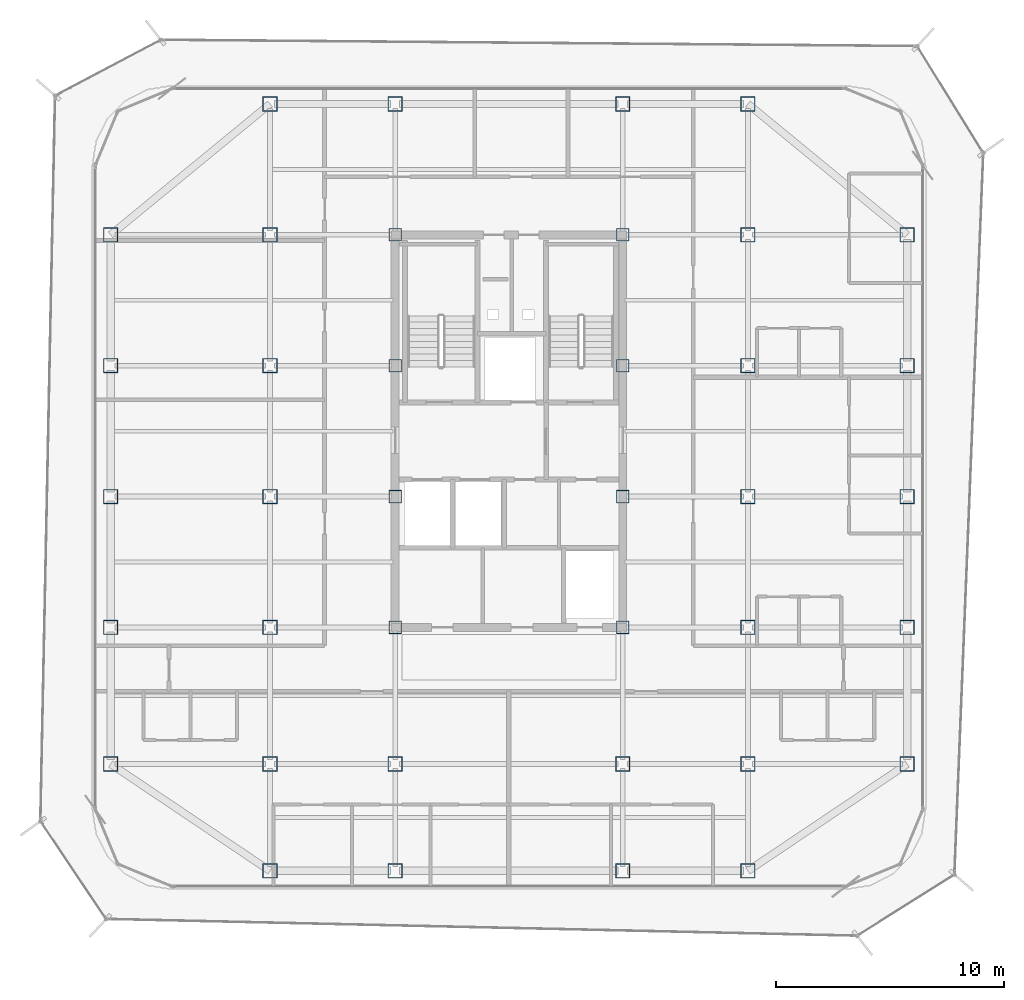
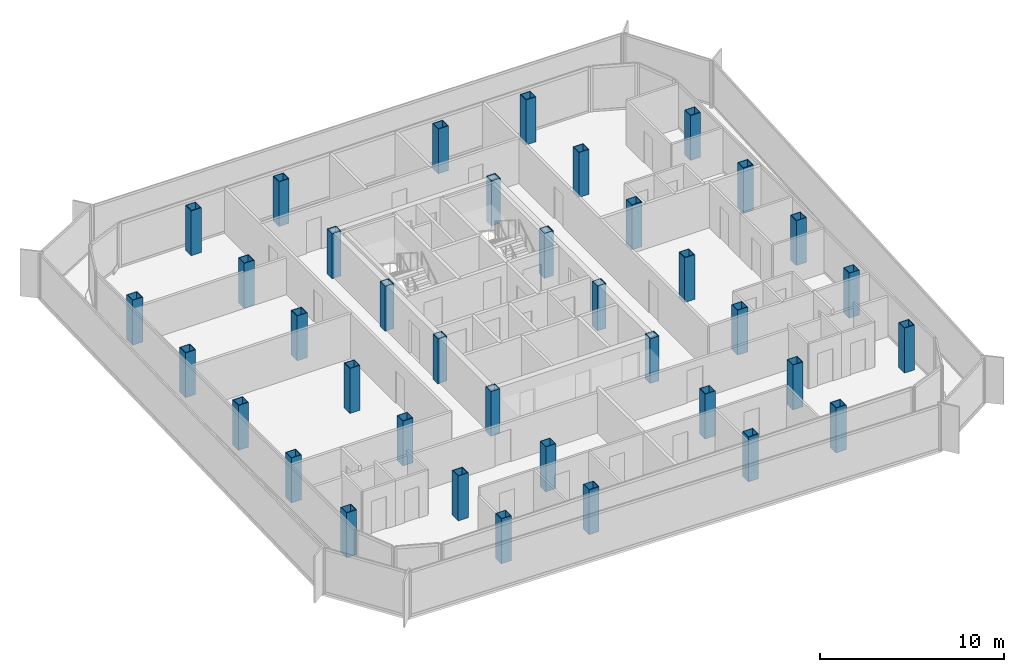
# One storey, part 1 of 15: 38 columns.
"""IFC4 building model written with IfcOpenShell, lengths in metres."""

from ifc_helpers import new_model, si_unit, direction, frame, origin, origin_2d, place, context, subcontext, project, spatial, hollow_rectangle, extrude, source, transform, mapped, material, material_profile, profile_set, type_object, element, save


model = new_model("IFC4")

# Units and contexts
model_context = context("Model", 3, precision=1e-05, world=origin(), true_north=direction((0.0, 1.0)))
body_context = subcontext(model_context, "Body", "Model", "MODEL_VIEW")
ifc_project = project(units=[si_unit("LENGTHUNIT", "METRE"), si_unit("AREAUNIT", "SQUARE_METRE"), si_unit("VOLUMEUNIT", "CUBIC_METRE"), si_unit("PLANEANGLEUNIT", "RADIAN"), si_unit("MASSUNIT", "GRAM", prefix="KILO")], contexts=[model_context])

# Site, building, storey
site_placement = place(None, origin())
site = spatial("IfcSite", under=ifc_project, at=site_placement, CompositionType="ELEMENT")
building_placement = place(site_placement, origin())
building = spatial("IfcBuilding", under=site, at=building_placement, Name="Kolveth Station Tower", CompositionType="ELEMENT")
storey_placement = place(building_placement, frame((0.0, 0.0, 239.300048828125)))
storey = spatial("IfcBuildingStorey", under=building, at=storey_placement, Name="L68", CompositionType="ELEMENT", Elevation=239.300048828125)

# Columns
ifc_material = material(Name="Steel S355", Category="steel")
ifc_material_profile_1 = material_profile(ifc_material, hollow_rectangle(XDim=0.639892578125, YDim=0.639892578125, WallThickness=0.034912109375, at=origin_2d()), Name="BOX640x640x35")
ifc_profile_set_1 = profile_set([ifc_material_profile_1], Name="Steel S355")
column_type_1 = type_object("IfcColumnType", Name="Col_C7", PredefinedType="COLUMN", material=ifc_profile_set_1)
shared_shape_1 = source(origin(), body_context, "Body", "SweptSolid", [
    extrude(hollow_rectangle(XDim=0.639892578125, YDim=0.639892578125, WallThickness=0.034912109375, at=origin_2d()), origin(), (0.0, 0.0, 1.0), 2.97998046875),
])
for number, where, z_axis, x_axis, name in (
    (1, (13.0, 0.800048828125, 0.0), (0.0, 0.0, 1.0), (1.0, 0.0, 0.0), "L68 Tower Column S-X130"),
    (2, (13.0, 34.5, 0.0), (0.0, 0.0, 1.0), (1.0, 0.0, 0.0), "L68 Tower Column N-X130"),
    (3, (18.5, 0.800048828125, 0.0), (0.0, 0.0, 1.0), (1.0, 0.0, 0.0), "L68 Tower Column S-X185"),
    (4, (18.5, 34.5, 0.0), (0.0, 0.0, 1.0), (1.0, 0.0, 0.0), "L68 Tower Column N-X185"),
    (5, (28.5, 0.800048828125, 0.0), (0.0, 0.0, 1.0), (1.0, 0.0, 0.0), "L68 Tower Column S-X285"),
    (6, (28.5, 34.5, 0.0), (0.0, 0.0, 1.0), (1.0, 0.0, 0.0), "L68 Tower Column N-X285"),
    (7, (34.0, 0.800048828125, 0.0), (0.0, 0.0, 1.0), (1.0, 0.0, 0.0), "L68 Tower Column S-X340"),
    (8, (34.0, 34.5, 0.0), (0.0, 0.0, 1.0), (1.0, 0.0, 0.0), "L68 Tower Column N-X340"),
    (9, (6.0, 5.5, 0.0), (0.0, 0.0, 1.0), (1.0, 0.0, 0.0), "L68 Tower Column W-Y55"),
    (10, (41.0, 5.5, 0.0), (0.0, 0.0, 1.0), (1.0, 0.0, 0.0), "L68 Tower Column E-Y55"),
    (11, (6.0, 11.5, 0.0), (0.0, 0.0, 1.0), (1.0, 0.0, 0.0), "L68 Tower Column W-Y115"),
    (12, (41.0, 11.5, 0.0), (0.0, 0.0, 1.0), (1.0, 0.0, 0.0), "L68 Tower Column E-Y115"),
    (13, (6.0, 17.25, 0.0), (0.0, 0.0, 1.0), (1.0, 0.0, 0.0), "L68 Tower Column W-Y172"),
    (14, (41.0, 17.25, 0.0), (0.0, 0.0, 1.0), (1.0, 0.0, 0.0), "L68 Tower Column E-Y172"),
    (15, (6.0, 23.0, 0.0), (0.0, 0.0, 1.0), (1.0, 0.0, 0.0), "L68 Tower Column W-Y230"),
    (16, (41.0, 23.0, 0.0), (0.0, 0.0, 1.0), (1.0, 0.0, 0.0), "L68 Tower Column E-Y230"),
    (17, (6.0, 28.75, 0.0), (0.0, 0.0, 1.0), (1.0, 0.0, 0.0), "L68 Tower Column W-Y287"),
    (18, (41.0, 28.75, 0.0), (0.0, 0.0, 1.0), (1.0, 0.0, 0.0), "L68 Tower Column E-Y287"),
    (19, (13.0, 5.5, 0.0), (0.0, 0.0, 1.0), (1.0, 0.0, 0.0), "L68 Tower Column G-130-55"),
    (20, (13.0, 11.5, 0.0), (0.0, 0.0, 1.0), (1.0, 0.0, 0.0), "L68 Tower Column G-130-115"),
    (21, (13.0, 17.25, 0.0), (0.0, 0.0, 1.0), (1.0, 0.0, 0.0), "L68 Tower Column G-130-172"),
    (22, (13.0, 23.0, 0.0), (0.0, 0.0, 1.0), (1.0, 0.0, 0.0), "L68 Tower Column G-130-230"),
    (23, (13.0, 28.75, 0.0), (0.0, 0.0, 1.0), (1.0, 0.0, 0.0), "L68 Tower Column G-130-287"),
    (24, (18.5, 5.5, 0.0), (0.0, 0.0, 1.0), (1.0, 0.0, 0.0), "L68 Tower Column G-185-55"),
    (25, (28.5, 5.5, 0.0), (0.0, 0.0, 1.0), (1.0, 0.0, 0.0), "L68 Tower Column G-285-55"),
    (26, (34.0, 5.5, 0.0), (0.0, 0.0, 1.0), (1.0, 0.0, 0.0), "L68 Tower Column G-340-55"),
    (27, (34.0, 11.5, 0.0), (0.0, 0.0, 1.0), (1.0, 0.0, 0.0), "L68 Tower Column G-340-115"),
    (28, (34.0, 17.25, 0.0), (0.0, 0.0, 1.0), (1.0, 0.0, 0.0), "L68 Tower Column G-340-172"),
    (29, (34.0, 23.0, 0.0), (0.0, 0.0, 1.0), (1.0, 0.0, 0.0), "L68 Tower Column G-340-230"),
    (30, (34.0, 28.75, 0.0), (0.0, 0.0, 1.0), (1.0, 0.0, 0.0), "L68 Tower Column G-340-287"),
):
    element("IfcColumn", number, at=place(storey_placement, frame(where, z_axis=z_axis, x_axis=x_axis)), inside=storey, type_object=column_type_1, Name=name, PredefinedType="COLUMN", context=body_context, shape_type="MappedRepresentation", body=[
        mapped(shared_shape_1, transform((0.0, 0.0, 0.0), x_axis=(1.0, 0.0, 0.0), y_axis=(0.0, 1.0, 0.0), z_axis=(0.0, 0.0, 1.0), scale=1.0)),
    ])
ifc_material_profile_2 = material_profile(ifc_material, hollow_rectangle(XDim=0.56005859375, YDim=0.56005859375, WallThickness=0.030029296875, at=origin_2d()), Name="BOX560x560x30")
ifc_profile_set_2 = profile_set([ifc_material_profile_2], Name="Steel S355")
column_type_2 = type_object("IfcColumnType", Name="Col_C8", PredefinedType="COLUMN", material=ifc_profile_set_2)
shared_shape_2 = source(origin(), body_context, "Body", "SweptSolid", [
    extrude(hollow_rectangle(XDim=0.56005859375, YDim=0.56005859375, WallThickness=0.030029296875, at=origin_2d()), origin(), (0.0, 0.0, 1.0), 2.97998046875),
])
for number, where, z_axis, x_axis, name in (
    (31, (18.5, 11.5, 0.0), (0.0, 0.0, 1.0), (1.0, 0.0, 0.0), "L68 Tower Column G-185-115"),
    (32, (18.5, 17.25, 0.0), (0.0, 0.0, 1.0), (1.0, 0.0, 0.0), "L68 Tower Column G-185-172"),
    (33, (18.5, 23.0, 0.0), (0.0, 0.0, 1.0), (1.0, 0.0, 0.0), "L68 Tower Column G-185-230"),
    (34, (18.5, 28.75, 0.0), (0.0, 0.0, 1.0), (1.0, 0.0, 0.0), "L68 Tower Column G-185-287"),
    (35, (28.5, 11.5, 0.0), (0.0, 0.0, 1.0), (1.0, 0.0, 0.0), "L68 Tower Column G-285-115"),
    (36, (28.5, 17.25, 0.0), (0.0, 0.0, 1.0), (1.0, 0.0, 0.0), "L68 Tower Column G-285-172"),
    (37, (28.5, 23.0, 0.0), (0.0, 0.0, 1.0), (1.0, 0.0, 0.0), "L68 Tower Column G-285-230"),
    (38, (28.5, 28.75, 0.0), (0.0, 0.0, 1.0), (1.0, 0.0, 0.0), "L68 Tower Column G-285-287"),
):
    element("IfcColumn", number, at=place(storey_placement, frame(where, z_axis=z_axis, x_axis=x_axis)), inside=storey, type_object=column_type_2, Name=name, PredefinedType="COLUMN", context=body_context, shape_type="MappedRepresentation", body=[
        mapped(shared_shape_2, transform((0.0, 0.0, 0.0), x_axis=(1.0, 0.0, 0.0), y_axis=(0.0, 1.0, 0.0), z_axis=(0.0, 0.0, 1.0), scale=1.0)),
    ])

save(model, "model.ifc")
